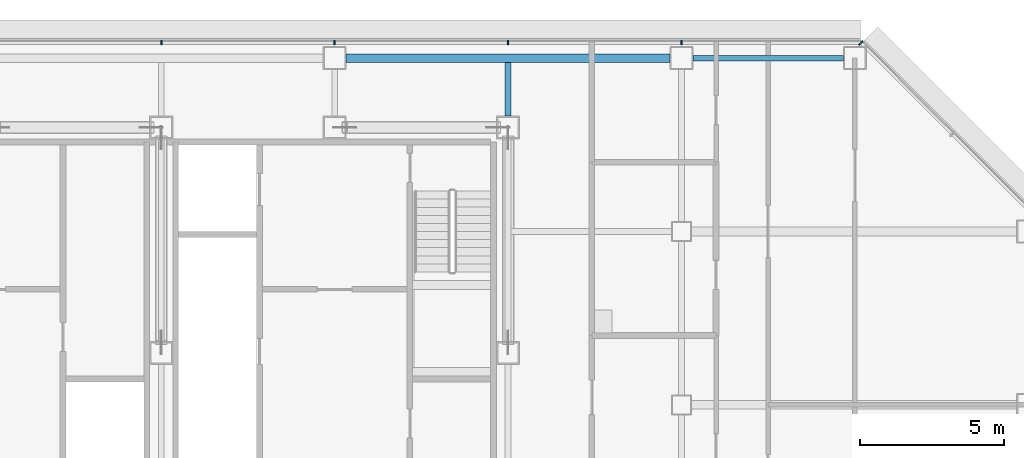
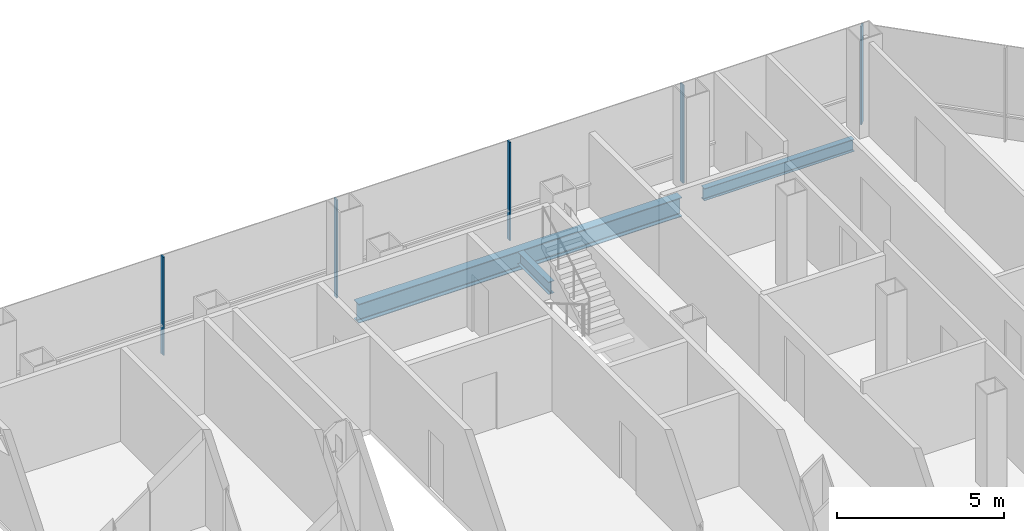
# One storey, part 14 of 25: 5 members, 3 beams, 2 elements without a shape of their own.
"""IFC4 building model written with IfcOpenShell, lengths in metres."""

from ifc_helpers import new_model, si_unit, direction, frame, origin, origin_2d, place, context, subcontext, project, spatial, rectangle, i_section, extrude, material, material_profile, profile_set, type_object, element, aggregate, save


model = new_model("IFC4")

# Units and contexts
model_context = context("Model", 3, precision=1e-05, world=origin(), true_north=direction((0.0, 1.0)))
body_context = subcontext(model_context, "Body", "Model", "MODEL_VIEW")
ifc_project = project(units=[si_unit("LENGTHUNIT", "METRE"), si_unit("AREAUNIT", "SQUARE_METRE"), si_unit("VOLUMEUNIT", "CUBIC_METRE"), si_unit("PLANEANGLEUNIT", "RADIAN"), si_unit("MASSUNIT", "GRAM", prefix="KILO")], contexts=[model_context])

# Site, building, storey
site_placement = place(None, origin())
site = spatial("IfcSite", under=ifc_project, at=site_placement, CompositionType="ELEMENT")
building_placement = place(site_placement, origin())
building = spatial("IfcBuilding", under=site, at=building_placement, Name="Sorahane Residences", CompositionType="ELEMENT")
storey_placement = place(building_placement, frame((0.0, 0.0, 107.0)))
storey = spatial("IfcBuildingStorey", under=building, at=storey_placement, Name="L23", CompositionType="ELEMENT", Elevation=107.0)

# Curtain wall, members
ifc_material_1 = material(Name="Dark low-e glass and black anodised aluminium", Category="aluminium")
curtain_wall_type_1 = type_object("IfcCurtainWallType", Name="Curtain wall CW-1 Typical unitised wall", PredefinedType="NOTDEFINED", material=ifc_material_1)
curtain_wall_1_placement = place(storey_placement, origin())
curtain_wall_1 = element("IfcCurtainWall", 1, at=curtain_wall_1_placement, inside=storey, type_object=curtain_wall_type_1, Name="CW-1 curtain wall L23 N1", PredefinedType="NOTDEFINED")
ifc_material_2 = material(Name="Black anodised aluminium", Category="aluminium")
ifc_material_profile_1 = material_profile(ifc_material_2, rectangle(XDim=0.159912109375, YDim=0.050048828125, at=origin_2d()), Name="Curtain wall mullion CW-1 black anodised aluminium 50x160")
ifc_profile_set_1 = profile_set([ifc_material_profile_1], Name="Black anodised aluminium")
member_type_1 = type_object("IfcMemberType", Name="Curtain wall mullion CW-1 black anodised aluminium 50x160", PredefinedType="MULLION", material=ifc_profile_set_1)
member_1_placement = place(storey_placement, frame((48.0, 48.5400390625, -0.179931640625), z_axis=(0.0, 0.0, 1.0), x_axis=(0.0, 1.0, 0.0)))
member_1 = element("IfcMember", 2, at=member_1_placement, type_object=member_type_1, Name="CW-1 mullion L23 N1.2", PredefinedType="MULLION", context=body_context, shape_type="SweptSolid", body=[
    extrude(rectangle(XDim=0.159912109375, YDim=0.050048828125, at=origin_2d()), origin(), (0.0, 0.0, 1.0), 3.599853515625),
])
member_2_placement = place(storey_placement, frame((42.0, 48.5400390625, -0.179931640625), z_axis=(0.0, 0.0, 1.0), x_axis=(0.0, 1.0, 0.0)))
member_2 = element("IfcMember", 3, at=member_2_placement, type_object=member_type_1, Name="CW-1 mullion L23 N1.3", PredefinedType="MULLION", context=body_context, shape_type="SweptSolid", body=[
    extrude(rectangle(XDim=0.159912109375, YDim=0.050048828125, at=origin_2d()), origin(), (0.0, 0.0, 1.0), 3.599853515625),
])
member_3_placement = place(storey_placement, frame((36.0, 48.5400390625, -0.179931640625), z_axis=(0.0, 0.0, 1.0), x_axis=(0.0, 1.0, 0.0)))
member_3 = element("IfcMember", 4, at=member_3_placement, type_object=member_type_1, Name="CW-1 mullion L23 N1.4", PredefinedType="MULLION", context=body_context, shape_type="SweptSolid", body=[
    extrude(rectangle(XDim=0.159912109375, YDim=0.050048828125, at=origin_2d()), origin(), (0.0, 0.0, 1.0), 3.599853515625),
])
member_4_placement = place(storey_placement, frame((30.0, 48.5400390625, -0.179931640625), z_axis=(0.0, 0.0, 1.0), x_axis=(0.0, 1.0, 0.0)))
member_4 = element("IfcMember", 5, at=member_4_placement, type_object=member_type_1, Name="CW-1 mullion L23 N1.5", PredefinedType="MULLION", context=body_context, shape_type="SweptSolid", body=[
    extrude(rectangle(XDim=0.159912109375, YDim=0.050048828125, at=origin_2d()), origin(), (0.0, 0.0, 1.0), 3.599853515625),
])
aggregate(curtain_wall_1, [member_1, member_2, member_3, member_4])

# Curtain wall, member
ifc_material_3 = material(Name="Dark low-e glass and black anodised aluminium", Category="aluminium")
curtain_wall_type_2 = type_object("IfcCurtainWallType", Name="Curtain wall CW-2 Chamfer unitised wall", PredefinedType="NOTDEFINED", material=ifc_material_3)
curtain_wall_2_placement = place(storey_placement, origin())
curtain_wall_2 = element("IfcCurtainWall", 6, at=curtain_wall_2_placement, inside=storey, type_object=curtain_wall_type_2, Name="CW-2 curtain wall L23 NE1", PredefinedType="NOTDEFINED")
ifc_material_4 = material(Name="Black anodised aluminium", Category="aluminium")
ifc_material_profile_2 = material_profile(ifc_material_4, rectangle(XDim=0.199951171875, YDim=0.050048828125, at=origin_2d()), Name="Curtain wall mullion CW-2 black anodised aluminium 50x200")
ifc_profile_set_2 = profile_set([ifc_material_profile_2], Name="Black anodised aluminium")
member_type_2 = type_object("IfcMemberType", Name="Curtain wall mullion CW-2 black anodised aluminium 50x200", PredefinedType="MULLION", material=ifc_profile_set_2)
member_5_placement = place(storey_placement, frame((54.209716796875, 48.525634765625, -0.179931640625), z_axis=(0.0, 0.0, 1.0), x_axis=(0.707106781187, 0.707106781187, 0.0)))
member_5 = element("IfcMember", 7, at=member_5_placement, type_object=member_type_2, Name="CW-2 mullion L23 NE1.3", PredefinedType="MULLION", context=body_context, shape_type="SweptSolid", body=[
    extrude(rectangle(XDim=0.199951171875, YDim=0.050048828125, at=origin_2d()), origin(), (0.0, 0.0, 1.0), 3.599853515625),
])
aggregate(curtain_wall_2, [member_5])

# Beams
ifc_material_5 = material(Name="Steel Q355B", Category="steel")
ifc_material_profile_3 = material_profile(ifc_material_5, i_section(OverallWidth=0.199951171875, OverallDepth=0.449951171875, WebThickness=0.009033203125, FlangeThickness=0.013916015625, FilletRadius=0.02001953125, at=origin_2d()), Name="HN 450x200x9x14")
ifc_profile_set_3 = profile_set([ifc_material_profile_3], Name="Steel Q355B")
beam_type_1 = type_object("IfcBeamType", Name="Steel floor beam HN 450x200x9x14 Q355B", PredefinedType="BEAM", material=ifc_profile_set_3)
beam_1_placement = place(storey_placement, frame((48.39990234375, 48.0, -0.405029296875), z_axis=(1.0, 0.0, 0.0), x_axis=(0.0, 1.0, 0.0)))
element("IfcBeam", 8, at=beam_1_placement, inside=storey, type_object=beam_type_1, Name="Beam L23 019", PredefinedType="BEAM", context=body_context, shape_type="SweptSolid", body=[
    extrude(i_section(OverallWidth=0.199951171875, OverallDepth=0.449951171875, WebThickness=0.009033203125, FlangeThickness=0.013916015625, FilletRadius=0.02001953125, at=origin_2d()), origin(), (0.0, 0.0, 1.0), 5.2001953125),
])
beam_2_placement = place(storey_placement, frame((42.0, 46.0, -0.405029296875), z_axis=(0.0, 1.0, 0.0), x_axis=(-1.0, 0.0, 0.0)))
element("IfcBeam", 9, at=beam_2_placement, inside=storey, type_object=beam_type_1, Name="Beam L23 057", PredefinedType="BEAM", context=body_context, shape_type="SweptSolid", body=[
    extrude(i_section(OverallWidth=0.199951171875, OverallDepth=0.449951171875, WebThickness=0.009033203125, FlangeThickness=0.013916015625, FilletRadius=0.02001953125, at=origin_2d()), origin(), (0.0, 0.0, 1.0), 1.85009765625),
])
ifc_material_6 = material(Name="Steel Q355B", Category="steel")
ifc_material_profile_4 = material_profile(ifc_material_6, i_section(OverallWidth=0.300048828125, OverallDepth=0.699951171875, WebThickness=0.012939453125, FlangeThickness=0.02392578125, FilletRadius=0.028076171875, at=origin_2d()), Name="HN 700x300x13x24")
ifc_profile_set_4 = profile_set([ifc_material_profile_4], Name="Steel Q355B")
beam_type_2 = type_object("IfcBeamType", Name="Steel floor beam HN 700x300x13x24 Q355B", PredefinedType="BEAM", material=ifc_profile_set_4)
beam_3_placement = place(storey_placement, frame((36.39990234375, 48.0, -0.530029296875), z_axis=(1.0, 0.0, 0.0), x_axis=(0.0, 1.0, 0.0)))
element("IfcBeam", 10, at=beam_3_placement, inside=storey, type_object=beam_type_2, Name="Beam L23 018", PredefinedType="BEAM", context=body_context, shape_type="SweptSolid", body=[
    extrude(i_section(OverallWidth=0.300048828125, OverallDepth=0.699951171875, WebThickness=0.012939453125, FlangeThickness=0.02392578125, FilletRadius=0.028076171875, at=origin_2d()), origin(), (0.0, 0.0, 1.0), 11.2001953125),
])

save(model, "model.ifc")
